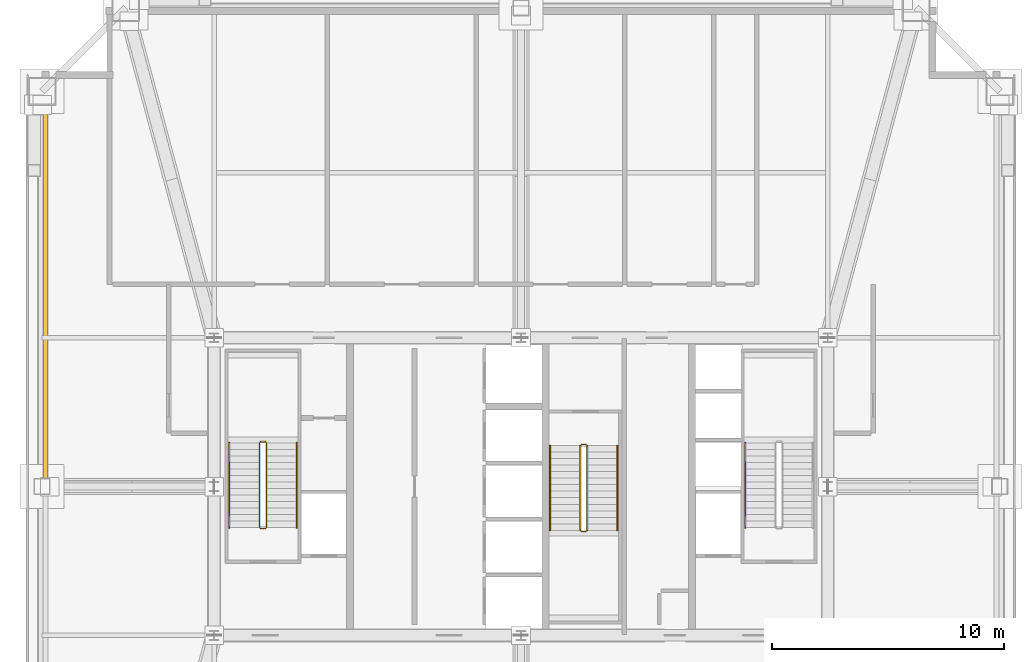
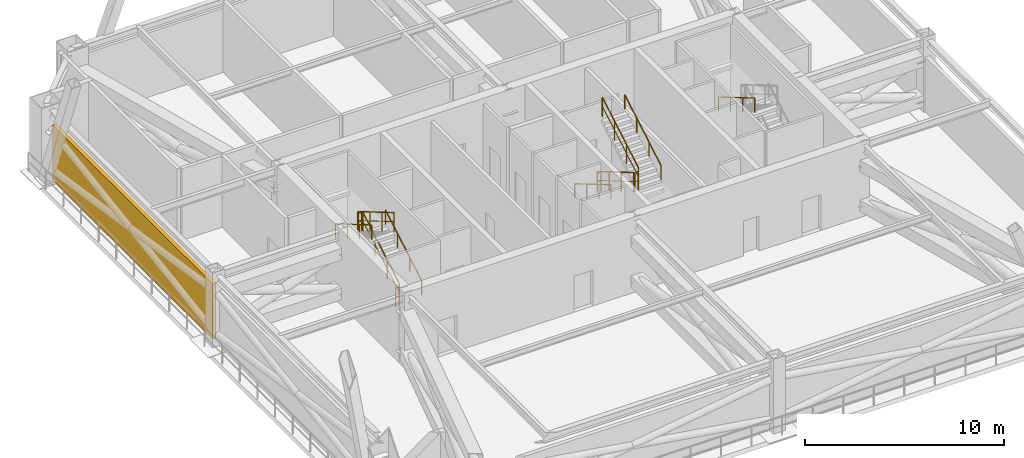
# One storey, part 8 of 9: 13 railings, 1 shading device.
"""IFC4 building model written with IfcOpenShell, lengths in metres."""

import ifcopenshell
import ifcopenshell.guid

model = None  # the IFC model being written
_history = None  # IfcOwnerHistory: only IFC2X3 demands one
_inside = {}  # id of a spatial element -> (the spatial element, [elements in it])
_under = {}  # id of a project, library or spatial element -> (it, [spatial elements below it])
_declared = {}  # id of a project -> (the project, [libraries it declares])
_typed = {}  # id of a type object -> (the type object, [elements of that type])
_made_of = {}  # id of a material, layer set ... -> (it, [elements and type objects made of it])


def new_model(schema):
    """Start an empty IFC model of exactly this schema.

    Asked for "IFC4X3", IfcOpenShell would pick the latest addendum, in which some entities
    have other attributes; the version numbers below select the first issue.
    IFC2X3 requires an IfcOwnerHistory on every rooted entity: one is made here for all.
    """
    global model, _history
    if schema == "IFC4X3":
        model = ifcopenshell.file(schema_version=(4, 3, 0, 0))
    else:
        model = ifcopenshell.file(schema=schema)
    _inside.clear()
    _under.clear()
    _declared.clear()
    _typed.clear()
    _made_of.clear()
    _history = None
    if model.schema == "IFC2X3":
        org = make("IfcOrganization", Name="unknown")
        user = make(
            "IfcPersonAndOrganization",
            ThePerson=make("IfcPerson", FamilyName="unknown"),
            TheOrganization=org,
        )
        app = make(
            "IfcApplication",
            ApplicationDeveloper=org,
            Version="unknown",
            ApplicationFullName="unknown",
            ApplicationIdentifier="unknown",
        )
        _history = make(
            "IfcOwnerHistory",
            OwningUser=user,
            OwningApplication=app,
            ChangeAction="ADDED",
            CreationDate=0,
        )
    return model


def make(cls, **values):
    """One entity of the class cls with the attributes given. An attribute that is None is left unset."""
    return model.create_entity(
        cls, **{name: value for name, value in values.items() if value is not None}
    )


def rooted(cls, **values):
    """An entity with a GlobalId (a new one), such as an element, a storey or a relation."""
    return make(cls, GlobalId=ifcopenshell.guid.new(), OwnerHistory=_history, **values)


def si_unit(unit_type, name, prefix=None):
    """IfcSIUnit, for example si_unit("LENGTHUNIT", "METRE", prefix="MILLI")."""
    return make("IfcSIUnit", UnitType=unit_type, Prefix=prefix, Name=name)


def assignment(units):
    """IfcUnitAssignment: the units of a project."""
    return None if units is None else make("IfcUnitAssignment", Units=units)


def point(xyz):
    """IfcCartesianPoint."""
    return None if xyz is None else make("IfcCartesianPoint", Coordinates=xyz)


def direction(xyz):
    """IfcDirection."""
    return None if xyz is None else make("IfcDirection", DirectionRatios=xyz)


def frame(location, z_axis=None, x_axis=None):
    """IfcAxis2Placement3D, a coordinate frame: its origin and axes. An axis left out is left unset."""
    return make(
        "IfcAxis2Placement3D",
        Location=point(location),
        Axis=direction(z_axis),
        RefDirection=direction(x_axis),
    )


def frame_2d(location, x_axis=None):
    """IfcAxis2Placement2D, a coordinate frame in the plane: its origin and x axis."""
    return make(
        "IfcAxis2Placement2D", Location=point(location), RefDirection=direction(x_axis)
    )


def origin():
    """The frame at (0, 0, 0) with its axes left unset."""
    return frame((0.0, 0.0, 0.0))


def origin_2d():
    """The frame at (0, 0) in the plane with its x axis left unset."""
    return frame_2d((0.0, 0.0))


def place(relative_to, where):
    """IfcLocalPlacement: puts the frame where relative to a parent placement (None: the world)."""
    return make(
        "IfcLocalPlacement", PlacementRelTo=relative_to, RelativePlacement=where
    )


def context(
    kind, dimensions, precision=None, world=None, true_north=None, identifier=None
):
    """IfcGeometricRepresentationContext, for example the 3D "Model" context."""
    return make(
        "IfcGeometricRepresentationContext",
        ContextIdentifier=identifier,
        ContextType=kind,
        CoordinateSpaceDimension=dimensions,
        Precision=precision,
        WorldCoordinateSystem=world,
        TrueNorth=true_north,
    )


def subcontext(parent, identifier, kind, view, scale=None):
    """IfcGeometricRepresentationSubContext, for example "Body" below "Model"."""
    return make(
        "IfcGeometricRepresentationSubContext",
        ContextIdentifier=identifier,
        ContextType=kind,
        ParentContext=parent,
        TargetScale=scale,
        TargetView=view,
    )


def project(units=None, contexts=None):
    """IfcProject with its units and contexts."""
    return rooted(
        "IfcProject",
        Name="project",
        RepresentationContexts=contexts,
        UnitsInContext=assignment(units),
    )


def spatial(cls, under=None, at=None, **own):
    """A site, building, storey or space (cls), placed at a placement, below another one or the project."""
    s = rooted(cls, ObjectPlacement=at, **own)
    if under is not None:
        _under.setdefault(under.id(), (under, []))[1].append(s)
    return s


def profile(cls, at=None, kind="AREA", **sizes):
    """A parametric profile (cls). Its sizes go by their IFC names, for example OverallWidth=200.0."""
    return make(cls, ProfileType=kind, Position=at, **sizes)


def rectangle(**sizes):
    """IfcRectangleProfileDef."""
    return profile("IfcRectangleProfileDef", **sizes)


def extrude(swept, where, along, depth):
    """IfcExtrudedAreaSolid: the profile swept, set in the frame where, extruded along a direction by depth."""
    return make(
        "IfcExtrudedAreaSolid",
        SweptArea=swept,
        Position=where,
        ExtrudedDirection=direction(along),
        Depth=depth,
    )


def shape(context_of_items, identifier, shape_type, items):
    """IfcShapeRepresentation: the items that make up one representation, for example the "Body"."""
    return make(
        "IfcShapeRepresentation",
        ContextOfItems=context_of_items,
        RepresentationIdentifier=identifier,
        RepresentationType=shape_type,
        Items=items,
    )


def source(mapping_origin, context_of_items, identifier, shape_type, items):
    """IfcRepresentationMap: a shape defined once, which mapped items show again and again."""
    return make(
        "IfcRepresentationMap",
        MappingOrigin=mapping_origin,
        MappedRepresentation=shape(context_of_items, identifier, shape_type, items),
    )


def transform(
    local_origin,
    x_axis=None,
    y_axis=None,
    z_axis=None,
    scale=None,
    scale2=None,
    scale3=None,
    uniform=True,
):
    """IfcCartesianTransformationOperator3D, or its non-uniform kind. x_axis, y_axis, z_axis: its Axis1, 2, 3."""
    if uniform:
        return make(
            "IfcCartesianTransformationOperator3D",
            Axis1=direction(x_axis),
            Axis2=direction(y_axis),
            LocalOrigin=point(local_origin),
            Scale=scale,
            Axis3=direction(z_axis),
        )
    return make(
        "IfcCartesianTransformationOperator3DnonUniform",
        Axis1=direction(x_axis),
        Axis2=direction(y_axis),
        LocalOrigin=point(local_origin),
        Scale=scale,
        Axis3=direction(z_axis),
        Scale2=scale2,
        Scale3=scale3,
    )


def mapped(mapping_source, mapping_target):
    """IfcMappedItem: shows the shape of a source again, moved by a transform."""
    return make(
        "IfcMappedItem", MappingSource=mapping_source, MappingTarget=mapping_target
    )


def material(Name=None, Category=None):
    """IfcMaterial."""
    return make("IfcMaterial", Name=Name, Category=Category)


def layer(
    of_material, thickness, ventilated=None, Name=None, Category=None, Priority=None
):
    """IfcMaterialLayer: one layer of a wall or slab, of a material (None: an air gap)."""
    return make(
        "IfcMaterialLayer",
        Material=of_material,
        LayerThickness=thickness,
        IsVentilated=ventilated,
        Name=Name,
        Category=Category,
        Priority=Priority,
    )


def layer_set(layers, Name=None):
    """IfcMaterialLayerSet."""
    return make("IfcMaterialLayerSet", MaterialLayers=layers, LayerSetName=Name)


def made_of(thing, what):
    """Note that an element or type object is made of a material, layer set ...; save() writes the relation."""
    if what is not None:
        _made_of.setdefault(what.id(), (what, []))[1].append(thing)
    return thing


def type_object(cls, material=None, **own):
    """A type object (cls), such as IfcWallType, which elements share."""
    return made_of(rooted(cls, **own), material)


def element(
    cls,
    number,
    at=None,
    inside=None,
    cuts=None,
    type_object=None,
    material=None,
    context=None,
    identifier="Body",
    shape_type=None,
    held_by="IfcProductDefinitionShape",
    body=None,
    shapes=None,
    **own,
):
    """One element of the class cls, such as IfcWall. Its Tag is "e" and its number.

    at: its placement. inside: the storey or other place that contains it. cuts: it is an
    opening in that element (IfcRelVoidsElement). A single representation is given by context,
    identifier, shape_type and body (its items); several are given by shapes. held_by: the class
    of the entity that holds the representations. save() writes the other relations.
    """
    e = rooted(cls, Tag="e%d" % number, ObjectPlacement=at, **own)
    if body is not None:
        shapes = [shape(context, identifier, shape_type, body)]
    if shapes is not None:
        e.Representation = make(held_by, Representations=shapes)
    if inside is not None:
        _inside.setdefault(inside.id(), (inside, []))[1].append(e)
    if cuts is not None:
        rooted(
            "IfcRelVoidsElement", RelatingBuildingElement=cuts, RelatedOpeningElement=e
        )
    if type_object is not None:
        _typed.setdefault(type_object.id(), (type_object, []))[1].append(e)
    return made_of(e, material)


def aggregate(whole, parts):
    """IfcRelAggregates: a whole, such as a stair, and the parts it consists of."""
    return rooted("IfcRelAggregates", RelatingObject=whole, RelatedObjects=parts)


def save(model, path):
    """Write the relations noted so far, then the file.

    IfcRelAggregates (storeys below a building ...), IfcRelContainedInSpatialStructure (elements
    in a storey), IfcRelDefinesByType, IfcRelAssociatesMaterial and IfcRelDeclares: one each for
    every whole, place, type object, material and project.
    """
    for whole, parts in _under.values():
        aggregate(whole, parts)
    for where, things in _inside.values():
        rooted(
            "IfcRelContainedInSpatialStructure",
            RelatedElements=things,
            RelatingStructure=where,
        )
    for kind, things in _typed.values():
        rooted("IfcRelDefinesByType", RelatedObjects=things, RelatingType=kind)
    for what, things in _made_of.values():
        rooted("IfcRelAssociatesMaterial", RelatedObjects=things, RelatingMaterial=what)
    for by, libraries in _declared.values():
        rooted("IfcRelDeclares", RelatingContext=by, RelatedDefinitions=libraries)
    model.write(path)


model = new_model("IFC4")

# Units and contexts
model_context = context("Model", 3, precision=1e-05, world=origin(), true_north=direction((0.0, 1.0)))
body_context = subcontext(model_context, "Body", "Model", "MODEL_VIEW")
ifc_project = project(units=[si_unit("LENGTHUNIT", "METRE"), si_unit("AREAUNIT", "SQUARE_METRE"), si_unit("VOLUMEUNIT", "CUBIC_METRE"), si_unit("PLANEANGLEUNIT", "RADIAN"), si_unit("MASSUNIT", "GRAM", prefix="KILO"), si_unit("THERMODYNAMICTEMPERATUREUNIT", "KELVIN"), si_unit("POWERUNIT", "WATT")], contexts=[model_context])

# Site, building, storey
site_placement = place(None, origin())
site = spatial("IfcSite", under=ifc_project, at=site_placement, CompositionType="ELEMENT")
building_placement = place(site_placement, origin())
building = spatial("IfcBuilding", under=site, at=building_placement, Name="Yuzanri Waterfront Tower", CompositionType="ELEMENT")
storey_placement = place(building_placement, frame((0.0, 0.0, 219.5)))
storey = spatial("IfcBuildingStorey", under=building, at=storey_placement, Name="L58", CompositionType="ELEMENT", Elevation=219.5)

# Shading device
ifc_material_1 = material(Name="Anodized Architectural Bronze", Category="metal")
ifc_layer_1 = layer(ifc_material_1, 0.219970703125)
ifc_layer_set_1 = layer_set([ifc_layer_1], Name="Anodized Architectural Bronze")
shading_device_type = type_object("IfcShadingDeviceType", Name="Anodized Bronze Refuge Wind-Diffusing Louvre Screen 220", PredefinedType="USERDEFINED", material=ifc_layer_set_1)
shared_shape_1 = source(origin(), body_context, "Body", "SweptSolid", [
    extrude(rectangle(XDim=0.219970703125, YDim=16.050048828125, at=origin_2d()), origin(), (0.0, 0.0, 1.0), 3.39990234375),
])
shading_device_placement = place(storey_placement, frame((16.550048828125, 34.175048828125, 0.0), z_axis=(0.0, 0.0, 1.0), x_axis=(1.0, 0.0, 0.0)))
element("IfcShadingDevice", 1, at=shading_device_placement, inside=storey, type_object=shading_device_type, Name="L58 Wind-Diffusing Refuge Louvre WR", ObjectType="LOUVRE", PredefinedType="USERDEFINED", context=body_context, shape_type="MappedRepresentation", body=[
    mapped(shared_shape_1, transform((0.0, 0.0, 0.0), scale=1.0)),
])

# Railings
ifc_material_2 = material(Name="Painted Galvanized Fire Steel", Category="steel")
ifc_layer_2 = layer(ifc_material_2, 0.06005859375)
ifc_layer_set_2 = layer_set([ifc_layer_2], Name="Painted Galvanized Fire Steel")
railing_type_1 = type_object("IfcRailingType", Name="Painted Steel Stairwell Guardrail 1120", PredefinedType="GUARDRAIL", material=ifc_layer_set_2)
shared_shape_2 = source(origin(), body_context, "Body", "SweptSolid", [
    extrude(rectangle(XDim=0.050048828125, YDim=0.050048828125, at=origin_2d()), frame((0.0, 0.0, 1.1748046875), z_axis=(-1.0, 0.0, 0.0), x_axis=(0.0, -1.0, 0.0)), (0.0, 0.0, 1.0), 0.199951171875),
    extrude(rectangle(XDim=0.035888671875, YDim=0.030029296875, at=origin_2d()), frame((0.0, 0.0, 0.6240234375), z_axis=(-1.0, 0.0, 0.0), x_axis=(0.0, -1.0, 0.0)), (0.0, 0.0, 1.0), 0.199951171875),
    extrude(rectangle(XDim=0.0458984375, YDim=0.0458984375, at=origin_2d()), origin(), (0.0, 0.0, 1.0), 1.14990234375),
    extrude(rectangle(XDim=0.0458984375, YDim=0.0458984375, at=origin_2d()), frame((-0.199951171875, 0.0, 0.0)), (0.0, 0.0, 1.0), 1.14990234375),
])
for number, where, name in (
    (2, (26.0, 27.72998046875, 2.300048828125), "L58 ST-01 stair guard 2"),
    (3, (26.0, 23.989990234375, 0.0), "L58 ST-01 stair guard 4"),
):
    element("IfcRailing", number, at=place(storey_placement, frame(where)), inside=storey, type_object=railing_type_1, Name=name, PredefinedType="GUARDRAIL", context=body_context, shape_type="MappedRepresentation", body=[
        mapped(shared_shape_2, transform((0.0, 0.0, 0.0), scale=1.0)),
    ])
shared_shape_3 = source(origin(), body_context, "Body", "SweptSolid", [
    extrude(rectangle(XDim=0.050048828125, YDim=0.050048828125, at=origin_2d()), frame((0.0, 0.0, 1.1748046875), z_axis=(0.0, 0.862489892076, 0.506074289079), x_axis=(-1.0, 0.0, 0.0)), (0.0, 0.0, 1.0), 4.22021484375),
    extrude(rectangle(XDim=0.035888671875, YDim=0.030029296875, at=origin_2d()), frame((0.0, 0.0, 0.6240234375), z_axis=(0.0, 0.862489892076, 0.506074289079), x_axis=(-1.0, 0.0, 0.0)), (0.0, 0.0, 1.0), 4.22021484375),
    extrude(rectangle(XDim=0.0458984375, YDim=0.0458984375, at=origin_2d()), origin(), (0.0, 0.0, 1.0), 1.14990234375),
    extrude(rectangle(XDim=0.0458984375, YDim=0.0458984375, at=origin_2d()), frame((0.0, 1.21337890625, 0.7119140625)), (0.0, 0.0, 1.0), 1.14990234375),
    extrude(rectangle(XDim=0.0458984375, YDim=0.0458984375, at=origin_2d()), frame((0.0, 2.426513671875, 1.423828125)), (0.0, 0.0, 1.0), 1.14990234375),
    extrude(rectangle(XDim=0.0458984375, YDim=0.0458984375, at=origin_2d()), frame((0.0, 3.639892578125, 2.1357421875)), (0.0, 0.0, 1.0), 1.14990234375),
])
railing_1_placement = place(storey_placement, frame((26.050048828125, 24.0400390625, 0.164306640625)))
element("IfcRailing", 4, at=railing_1_placement, inside=storey, type_object=railing_type_1, Name="L58 ST-01 stair guard 1", PredefinedType="GUARDRAIL", context=body_context, shape_type="MappedRepresentation", body=[
    mapped(shared_shape_3, transform((0.0, 0.0, 0.0), scale=1.0)),
])
shared_shape_4 = source(origin(), body_context, "Body", "SweptSolid", [
    extrude(rectangle(XDim=0.050048828125, YDim=0.050048828125, at=origin_2d()), frame((0.0, 0.0, 1.1748046875), z_axis=(0.0, -0.862489892076, 0.506074289079), x_axis=(1.0, 0.0, 0.0)), (0.0, 0.0, 1.0), 4.22021484375),
    extrude(rectangle(XDim=0.035888671875, YDim=0.030029296875, at=origin_2d()), frame((0.0, 0.0, 0.6240234375), z_axis=(0.0, -0.862489892076, 0.506074289079), x_axis=(1.0, 0.0, 0.0)), (0.0, 0.0, 1.0), 4.22021484375),
    extrude(rectangle(XDim=0.0458984375, YDim=0.0458984375, at=origin_2d()), origin(), (0.0, 0.0, 1.0), 1.14990234375),
    extrude(rectangle(XDim=0.0458984375, YDim=0.0458984375, at=origin_2d()), frame((0.0, -1.21337890625, 0.7119140625)), (0.0, 0.0, 1.0), 1.14990234375),
    extrude(rectangle(XDim=0.0458984375, YDim=0.0458984375, at=origin_2d()), frame((0.0, -2.426513671875, 1.423828125)), (0.0, 0.0, 1.0), 1.14990234375),
    extrude(rectangle(XDim=0.0458984375, YDim=0.0458984375, at=origin_2d()), frame((0.0, -3.639892578125, 2.1357421875)), (0.0, 0.0, 1.0), 1.14990234375),
])
railing_2_placement = place(storey_placement, frame((25.75, 27.679931640625, 2.46435546875)))
element("IfcRailing", 5, at=railing_2_placement, inside=storey, type_object=railing_type_1, Name="L58 ST-01 stair guard 3", PredefinedType="GUARDRAIL", context=body_context, shape_type="MappedRepresentation", body=[
    mapped(shared_shape_4, transform((0.0, 0.0, 0.0), scale=1.0)),
])
ifc_material_3 = material(Name="Anodized Architectural Bronze", Category="metal")
ifc_layer_3 = layer(ifc_material_3, 0.050048828125)
ifc_layer_set_3 = layer_set([ifc_layer_3], Name="Anodized Architectural Bronze")
railing_type_2 = type_object("IfcRailingType", Name="Brushed Bronze Stair Pitch Handrail 920", PredefinedType="HANDRAIL", material=ifc_layer_set_3)
shared_shape_5 = source(origin(), body_context, "Body", "SweptSolid", [
    extrude(rectangle(XDim=0.050048828125, YDim=0.050048828125, at=origin_2d()), frame((0.0, 0.0, 0.875), z_axis=(0.0, 0.862489892076, 0.506074289079), x_axis=(-1.0, 0.0, 0.0)), (0.0, 0.0, 1.0), 4.22021484375),
    extrude(rectangle(XDim=0.0458984375, YDim=0.0458984375, at=origin_2d()), origin(), (0.0, 0.0, 1.0), 0.849853515625),
    extrude(rectangle(XDim=0.0458984375, YDim=0.0458984375, at=origin_2d()), frame((0.0, 1.21337890625, 0.7119140625)), (0.0, 0.0, 1.0), 0.849853515625),
    extrude(rectangle(XDim=0.0458984375, YDim=0.0458984375, at=origin_2d()), frame((0.0, 2.426513671875, 1.423828125)), (0.0, 0.0, 1.0), 0.849853515625),
    extrude(rectangle(XDim=0.0458984375, YDim=0.0458984375, at=origin_2d()), frame((0.0, 3.639892578125, 2.1357421875)), (0.0, 0.0, 1.0), 0.849853515625),
])
railing_3_placement = place(storey_placement, frame((27.35009765625, 24.0400390625, 0.164306640625)))
element("IfcRailing", 6, at=railing_3_placement, inside=storey, type_object=railing_type_2, Name="L58 ST-01 stair handrail 1", PredefinedType="HANDRAIL", context=body_context, shape_type="MappedRepresentation", body=[
    mapped(shared_shape_5, transform((0.0, 0.0, 0.0), scale=1.0)),
])
shared_shape_6 = source(origin(), body_context, "Body", "SweptSolid", [
    extrude(rectangle(XDim=0.050048828125, YDim=0.050048828125, at=origin_2d()), frame((0.0, 0.0, 0.875), z_axis=(0.0, -0.862489892076, 0.506074289079), x_axis=(1.0, 0.0, 0.0)), (0.0, 0.0, 1.0), 4.22021484375),
    extrude(rectangle(XDim=0.0458984375, YDim=0.0458984375, at=origin_2d()), origin(), (0.0, 0.0, 1.0), 0.849853515625),
    extrude(rectangle(XDim=0.0458984375, YDim=0.0458984375, at=origin_2d()), frame((0.0, -1.21337890625, 0.7119140625)), (0.0, 0.0, 1.0), 0.849853515625),
    extrude(rectangle(XDim=0.0458984375, YDim=0.0458984375, at=origin_2d()), frame((0.0, -2.426513671875, 1.423828125)), (0.0, 0.0, 1.0), 0.849853515625),
    extrude(rectangle(XDim=0.0458984375, YDim=0.0458984375, at=origin_2d()), frame((0.0, -3.639892578125, 2.1357421875)), (0.0, 0.0, 1.0), 0.849853515625),
])
for number, where, name in (
    (7, (24.449951171875, 27.679931640625, 2.46435546875), "L58 ST-01 stair handrail 2"),
    (8, (46.64990234375, 27.679931640625, 2.46435546875), "L58 ST-02 stair handrail 2"),
):
    element("IfcRailing", number, at=place(storey_placement, frame(where)), inside=storey, type_object=railing_type_2, Name=name, PredefinedType="HANDRAIL", context=body_context, shape_type="MappedRepresentation", body=[
        mapped(shared_shape_6, transform((0.0, 0.0, 0.0), scale=1.0)),
    ])
shared_shape_7 = source(origin(), body_context, "Body", "SweptSolid", [
    extrude(rectangle(XDim=0.050048828125, YDim=0.050048828125, at=origin_2d()), frame((0.0, 0.0, 1.1748046875), z_axis=(1.0, 0.0, 0.0), x_axis=(0.0, 1.0, 0.0)), (0.0, 0.0, 1.0), 0.199951171875),
    extrude(rectangle(XDim=0.035888671875, YDim=0.030029296875, at=origin_2d()), frame((0.0, 0.0, 0.6240234375), z_axis=(1.0, 0.0, 0.0), x_axis=(0.0, 1.0, 0.0)), (0.0, 0.0, 1.0), 0.199951171875),
    extrude(rectangle(XDim=0.0458984375, YDim=0.0458984375, at=origin_2d()), origin(), (0.0, 0.0, 1.0), 1.14990234375),
    extrude(rectangle(XDim=0.0458984375, YDim=0.0458984375, at=origin_2d()), frame((0.199951171875, 0.0, 0.0)), (0.0, 0.0, 1.0), 1.14990234375),
])
for number, where, name in (
    (9, (39.60009765625, 23.8701171875, 2.300048828125), "L58 ST-03 stair guard 2"),
    (10, (39.60009765625, 27.610107421875, 0.0), "L58 ST-03 stair guard 4"),
):
    element("IfcRailing", number, at=place(storey_placement, frame(where)), inside=storey, type_object=railing_type_1, Name=name, PredefinedType="GUARDRAIL", context=body_context, shape_type="MappedRepresentation", body=[
        mapped(shared_shape_7, transform((0.0, 0.0, 0.0), scale=1.0)),
    ])
shared_shape_8 = source(origin(), body_context, "Body", "SweptSolid", [
    extrude(rectangle(XDim=0.050048828125, YDim=0.050048828125, at=origin_2d()), frame((0.0, 0.0, 1.1748046875), z_axis=(0.0, -0.862504707072, 0.506049039401), x_axis=(1.0, 0.0, 0.0)), (0.0, 0.0, 1.0), 4.220458984375),
    extrude(rectangle(XDim=0.035888671875, YDim=0.030029296875, at=origin_2d()), frame((0.0, 0.0, 0.6240234375), z_axis=(0.0, -0.862504707072, 0.506049039401), x_axis=(1.0, 0.0, 0.0)), (0.0, 0.0, 1.0), 4.220458984375),
    extrude(rectangle(XDim=0.0458984375, YDim=0.0458984375, at=origin_2d()), origin(), (0.0, 0.0, 1.0), 1.14990234375),
    extrude(rectangle(XDim=0.0458984375, YDim=0.0458984375, at=origin_2d()), frame((0.0, -1.21337890625, 0.7119140625)), (0.0, 0.0, 1.0), 1.14990234375),
    extrude(rectangle(XDim=0.0458984375, YDim=0.0458984375, at=origin_2d()), frame((0.0, -2.4267578125, 1.423828125)), (0.0, 0.0, 1.0), 1.14990234375),
    extrude(rectangle(XDim=0.0458984375, YDim=0.0458984375, at=origin_2d()), frame((0.0, -3.64013671875, 2.1357421875)), (0.0, 0.0, 1.0), 1.14990234375),
])
railing_4_placement = place(storey_placement, frame((39.550048828125, 27.56005859375, 0.164306640625)))
element("IfcRailing", 11, at=railing_4_placement, inside=storey, type_object=railing_type_1, Name="L58 ST-03 stair guard 1", PredefinedType="GUARDRAIL", context=body_context, shape_type="MappedRepresentation", body=[
    mapped(shared_shape_8, transform((0.0, 0.0, 0.0), scale=1.0)),
])
shared_shape_9 = source(origin(), body_context, "Body", "SweptSolid", [
    extrude(rectangle(XDim=0.050048828125, YDim=0.050048828125, at=origin_2d()), frame((0.0, 0.0, 1.1748046875), z_axis=(0.0, 0.862504707072, 0.506049039401), x_axis=(-1.0, 0.0, 0.0)), (0.0, 0.0, 1.0), 4.220458984375),
    extrude(rectangle(XDim=0.035888671875, YDim=0.030029296875, at=origin_2d()), frame((0.0, 0.0, 0.6240234375), z_axis=(0.0, 0.862504707072, 0.506049039401), x_axis=(-1.0, 0.0, 0.0)), (0.0, 0.0, 1.0), 4.220458984375),
    extrude(rectangle(XDim=0.0458984375, YDim=0.0458984375, at=origin_2d()), origin(), (0.0, 0.0, 1.0), 1.14990234375),
    extrude(rectangle(XDim=0.0458984375, YDim=0.0458984375, at=origin_2d()), frame((0.0, 1.21337890625, 0.7119140625)), (0.0, 0.0, 1.0), 1.14990234375),
    extrude(rectangle(XDim=0.0458984375, YDim=0.0458984375, at=origin_2d()), frame((0.0, 2.4267578125, 1.423828125)), (0.0, 0.0, 1.0), 1.14990234375),
    extrude(rectangle(XDim=0.0458984375, YDim=0.0458984375, at=origin_2d()), frame((0.0, 3.64013671875, 2.1357421875)), (0.0, 0.0, 1.0), 1.14990234375),
])
railing_5_placement = place(storey_placement, frame((39.85009765625, 23.919921875, 2.46435546875)))
element("IfcRailing", 12, at=railing_5_placement, inside=storey, type_object=railing_type_1, Name="L58 ST-03 stair guard 3", PredefinedType="GUARDRAIL", context=body_context, shape_type="MappedRepresentation", body=[
    mapped(shared_shape_9, transform((0.0, 0.0, 0.0), scale=1.0)),
])
shared_shape_10 = source(origin(), body_context, "Body", "SweptSolid", [
    extrude(rectangle(XDim=0.050048828125, YDim=0.050048828125, at=origin_2d()), frame((0.0, 0.0, 0.875), z_axis=(0.0, -0.862504707072, 0.506049039401), x_axis=(1.0, 0.0, 0.0)), (0.0, 0.0, 1.0), 4.220458984375),
    extrude(rectangle(XDim=0.0458984375, YDim=0.0458984375, at=origin_2d()), origin(), (0.0, 0.0, 1.0), 0.849853515625),
    extrude(rectangle(XDim=0.0458984375, YDim=0.0458984375, at=origin_2d()), frame((0.0, -1.21337890625, 0.7119140625)), (0.0, 0.0, 1.0), 0.849853515625),
    extrude(rectangle(XDim=0.0458984375, YDim=0.0458984375, at=origin_2d()), frame((0.0, -2.4267578125, 1.423828125)), (0.0, 0.0, 1.0), 0.849853515625),
    extrude(rectangle(XDim=0.0458984375, YDim=0.0458984375, at=origin_2d()), frame((0.0, -3.64013671875, 2.1357421875)), (0.0, 0.0, 1.0), 0.849853515625),
])
railing_6_placement = place(storey_placement, frame((38.25, 27.56005859375, 0.164306640625)))
element("IfcRailing", 13, at=railing_6_placement, inside=storey, type_object=railing_type_2, Name="L58 ST-03 stair handrail 1", PredefinedType="HANDRAIL", context=body_context, shape_type="MappedRepresentation", body=[
    mapped(shared_shape_10, transform((0.0, 0.0, 0.0), scale=1.0)),
])
shared_shape_11 = source(origin(), body_context, "Body", "SweptSolid", [
    extrude(rectangle(XDim=0.050048828125, YDim=0.050048828125, at=origin_2d()), frame((0.0, 0.0, 0.875), z_axis=(0.0, 0.862504707072, 0.506049039401), x_axis=(-1.0, 0.0, 0.0)), (0.0, 0.0, 1.0), 4.220458984375),
    extrude(rectangle(XDim=0.0458984375, YDim=0.0458984375, at=origin_2d()), origin(), (0.0, 0.0, 1.0), 0.849853515625),
    extrude(rectangle(XDim=0.0458984375, YDim=0.0458984375, at=origin_2d()), frame((0.0, 1.21337890625, 0.7119140625)), (0.0, 0.0, 1.0), 0.849853515625),
    extrude(rectangle(XDim=0.0458984375, YDim=0.0458984375, at=origin_2d()), frame((0.0, 2.4267578125, 1.423828125)), (0.0, 0.0, 1.0), 0.849853515625),
    extrude(rectangle(XDim=0.0458984375, YDim=0.0458984375, at=origin_2d()), frame((0.0, 3.64013671875, 2.1357421875)), (0.0, 0.0, 1.0), 0.849853515625),
])
railing_7_placement = place(storey_placement, frame((41.14990234375, 23.919921875, 2.46435546875)))
element("IfcRailing", 14, at=railing_7_placement, inside=storey, type_object=railing_type_2, Name="L58 ST-03 stair handrail 2", PredefinedType="HANDRAIL", context=body_context, shape_type="MappedRepresentation", body=[
    mapped(shared_shape_11, transform((0.0, 0.0, 0.0), scale=1.0)),
])

save(model, "model.ifc")
